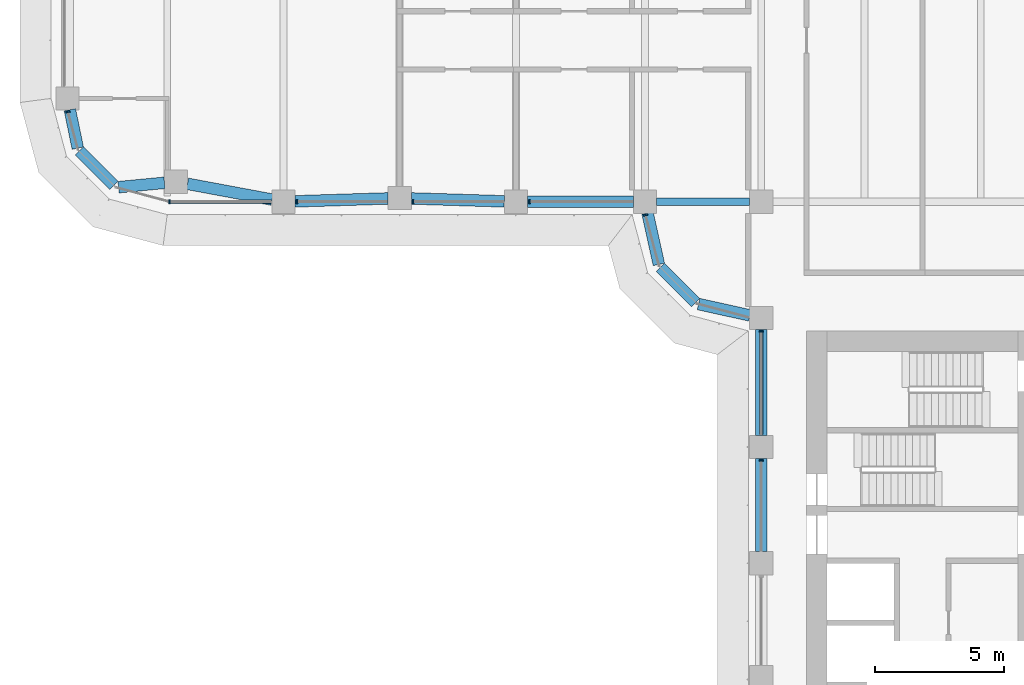
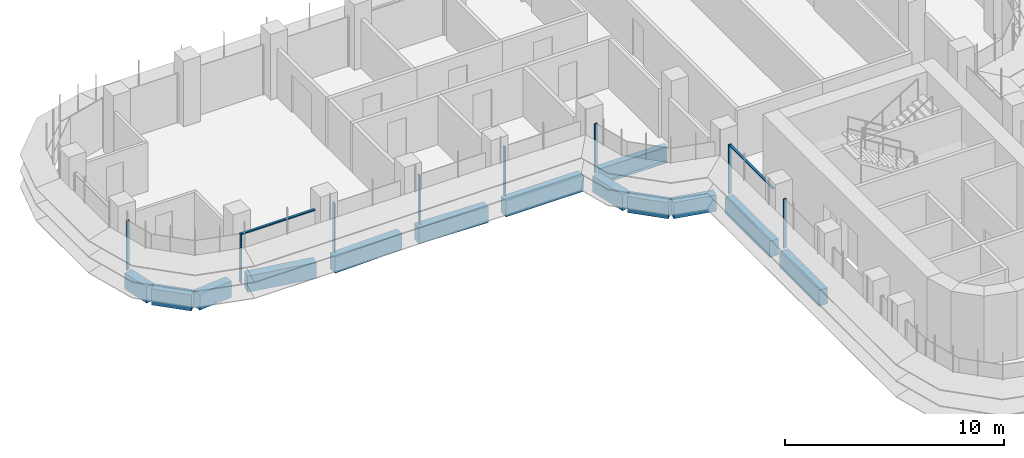
# One storey, part 3 of 23: 13 beams, 10 members, 4 elements without a shape of their own.
"""IFC4 building model written with IfcOpenShell, lengths in metres."""

from ifc_helpers import new_model, si_unit, direction, frame, origin, origin_2d, place, context, subcontext, project, spatial, polyline, rectangle, i_section, outline, extrude, source, transform, mapped, material, material_profile, profile_set, type_object, element, aggregate, save


model = new_model("IFC4")

# Units and contexts
model_context = context("Model", 3, precision=1e-05, world=origin(), true_north=direction((0.0, 1.0)))
body_context = subcontext(model_context, "Body", "Model", "MODEL_VIEW")
ifc_project = project(units=[si_unit("LENGTHUNIT", "METRE"), si_unit("AREAUNIT", "SQUARE_METRE"), si_unit("VOLUMEUNIT", "CUBIC_METRE"), si_unit("PLANEANGLEUNIT", "RADIAN"), si_unit("MASSUNIT", "GRAM", prefix="KILO")], contexts=[model_context])

# Site, building, storey
site_placement = place(None, origin())
site = spatial("IfcSite", under=ifc_project, at=site_placement, CompositionType="ELEMENT")
building_placement = place(site_placement, origin())
building = spatial("IfcBuilding", under=site, at=building_placement, Name="Zarbagh Exchange Tower", CompositionType="ELEMENT")
storey_placement = place(building_placement, frame((0.0, 0.0, 86.60009765625)))
storey = spatial("IfcBuildingStorey", under=building, at=storey_placement, Name="L19", CompositionType="ELEMENT", Elevation=86.60009765625)

# Beams
ifc_material_1 = material(Name="Steel ASTM A992 Gr 50", Category="steel")
ifc_material_profile_1 = material_profile(ifc_material_1, i_section(OverallWidth=0.3046875, OverallDepth=0.911865234375, WebThickness=0.015869140625, FlangeThickness=0.02392578125, at=origin_2d()), Name="W36X150")
ifc_profile_set_1 = profile_set([ifc_material_profile_1], Name="Steel ASTM A992 Gr 50")
beam_type_1 = type_object("IfcBeamType", Name="Floor girder W36X150", PredefinedType="BEAM", material=ifc_profile_set_1)
beam_1_placement = place(storey_placement, frame((-10.300048828125, -6.25, -0.60595703125), z_axis=(1.0, 0.0, 0.0), x_axis=(0.0, 1.0, 0.0)))
element("IfcBeam", 1, at=beam_1_placement, inside=storey, type_object=beam_type_1, Name="Steel girder", PredefinedType="BEAM", context=body_context, shape_type="SweptSolid", body=[
    extrude(i_section(OverallWidth=0.3046875, OverallDepth=0.911865234375, WebThickness=0.015869140625, FlangeThickness=0.02392578125, at=origin_2d()), origin(), (0.0, 0.0, 1.0), 3.60009765625),
])
ifc_material_2 = material(Name="Concrete C60/75", Category="concrete")
ifc_material_profile_2 = material_profile(ifc_material_2, rectangle(XDim=0.449951171875, YDim=0.89990234375, at=origin_2d()), Name="RC spandrel beam 450 x 900 C60/75")
ifc_profile_set_2 = profile_set([ifc_material_profile_2], Name="Concrete C60/75")
beam_type_2 = type_object("IfcBeamType", Name="RC spandrel beam 450 x 900 C60/75", PredefinedType="SPANDREL", material=ifc_profile_set_2)
beam_2_placement = place(storey_placement, frame((-6.25, -19.800048828125, -0.60009765625), z_axis=(0.0, 1.0, 0.0), x_axis=(-1.0, 0.0, 0.0)))
element("IfcBeam", 2, at=beam_2_placement, inside=storey, type_object=beam_type_2, Name="RC spandrel beam", PredefinedType="SPANDREL", context=body_context, shape_type="SweptSolid", body=[
    extrude(rectangle(XDim=0.449951171875, YDim=0.89990234375, at=origin_2d()), origin(), (0.0, 0.0, 1.0), 3.60009765625),
])
beam_3_placement = place(storey_placement, frame((-6.25, -15.300048828125, -0.60009765625), z_axis=(0.0, 1.0, 0.0), x_axis=(-1.0, 0.0, 0.0)))
element("IfcBeam", 3, at=beam_3_placement, inside=storey, type_object=beam_type_2, Name="RC spandrel beam", PredefinedType="SPANDREL", context=body_context, shape_type="SweptSolid", body=[
    extrude(rectangle(XDim=0.449951171875, YDim=0.89990234375, at=origin_2d()), origin(), (0.0, 0.0, 1.0), 4.10009765625),
])
beam_4_placement = place(storey_placement, frame((-6.689453125, -10.65283203125, -0.60009765625), z_axis=(-0.976367325525, 0.216117666208, 0.0), x_axis=(-0.216117666208, -0.976367325525, 0.0)))
element("IfcBeam", 4, at=beam_4_placement, inside=storey, type_object=beam_type_2, Name="RC spandrel beam", PredefinedType="SPANDREL", context=body_context, shape_type="SweptSolid", body=[
    extrude(rectangle(XDim=0.449951171875, YDim=0.89990234375, at=origin_2d()), origin(), (0.0, 0.0, 1.0), 2.03564453125),
])
beam_5_placement = place(storey_placement, frame((-8.78759765625, -10.15234375, -0.60009765625), z_axis=(-0.707106781187, 0.707106781187, 0.0), x_axis=(-0.707106781187, -0.707106781187, 0.0)))
element("IfcBeam", 5, at=beam_5_placement, inside=storey, type_object=beam_type_2, Name="RC spandrel beam", PredefinedType="SPANDREL", context=body_context, shape_type="SweptSolid", body=[
    extrude(rectangle(XDim=0.449951171875, YDim=0.89990234375, at=origin_2d()), origin(), (0.0, 0.0, 1.0), 1.929931640625),
])
beam_6_placement = place(storey_placement, frame((-10.212890625, -8.677001953125, -0.60009765625), z_axis=(-0.216117666208, 0.976367325525, 0.0), x_axis=(-0.976367325525, -0.216117666208, 0.0)))
element("IfcBeam", 6, at=beam_6_placement, inside=storey, type_object=beam_type_2, Name="RC spandrel beam", PredefinedType="SPANDREL", context=body_context, shape_type="SweptSolid", body=[
    extrude(rectangle(XDim=0.449951171875, YDim=0.89990234375, at=origin_2d()), origin(), (0.0, 0.0, 1.0), 2.03564453125),
])
beam_7_placement = place(storey_placement, frame((-11.199951171875, -6.25, -0.60009765625), z_axis=(-1.0, 0.0, 0.0), x_axis=(0.0, -1.0, 0.0)))
element("IfcBeam", 7, at=beam_7_placement, inside=storey, type_object=beam_type_2, Name="RC spandrel beam", PredefinedType="SPANDREL", context=body_context, shape_type="SweptSolid", body=[
    extrude(rectangle(XDim=0.449951171875, YDim=0.89990234375, at=origin_2d()), origin(), (0.0, 0.0, 1.0), 4.10009765625),
])
for number, where, z_axis, x_axis, name in (
    (8, (-16.19970703125, -6.236083984375, -0.60009765625), (-0.999516035224, 0.031107801747, 0.0), (-0.031107801747, -0.999516035224, 0.0), "RC spandrel beam"),
    (9, (-20.69970703125, -6.1240234375, -0.60009765625), (-0.999516035224, -0.031107801747, 0.0), (0.031107801747, -0.999516035224, 0.0), "RC spandrel beam"),
):
    element("IfcBeam", number, at=place(storey_placement, frame(where, z_axis=z_axis, x_axis=x_axis)), inside=storey, type_object=beam_type_2, Name=name, PredefinedType="SPANDREL", context=body_context, shape_type="SweptSolid", body=[
        extrude(rectangle(XDim=0.449951171875, YDim=0.89990234375, at=origin_2d()), origin(), (0.0, 0.0, 1.0), 3.602294921875),
    ])
beam_8_placement = place(storey_placement, frame((-25.1923828125, -6.16748046875, -0.60009765625), z_axis=(-0.98308156541, 0.183168326277, 0.0), x_axis=(-0.183168326277, -0.98308156541, 0.0)))
element("IfcBeam", 10, at=beam_8_placement, inside=storey, type_object=beam_type_2, Name="RC spandrel beam", PredefinedType="SPANDREL", context=body_context, shape_type="SweptSolid", body=[
    extrude(rectangle(XDim=0.449951171875, YDim=0.89990234375, at=origin_2d()), origin(), (0.0, 0.0, 1.0), 3.32958984375),
])
beam_9_placement = place(storey_placement, frame((-29.35595703125, -5.51806640625, -0.60009765625), z_axis=(-0.995433267802, -0.095459988228, 0.0), x_axis=(0.095459988228, -0.995433267802, 0.0)))
element("IfcBeam", 11, at=beam_9_placement, inside=storey, type_object=beam_type_2, Name="RC spandrel beam", PredefinedType="SPANDREL", context=body_context, shape_type="SweptSolid", body=[
    extrude(rectangle(XDim=0.449951171875, YDim=0.89990234375, at=origin_2d()), origin(), (0.0, 0.0, 1.0), 1.78759765625),
])
beam_10_placement = place(storey_placement, frame((-31.316162109375, -5.623779296875, -0.60009765625), z_axis=(-0.707106781187, 0.707106781187, 0.0), x_axis=(-0.707106781187, -0.707106781187, 0.0)))
element("IfcBeam", 12, at=beam_10_placement, inside=storey, type_object=beam_type_2, Name="RC spandrel beam", PredefinedType="SPANDREL", context=body_context, shape_type="SweptSolid", body=[
    extrude(rectangle(XDim=0.449951171875, YDim=0.89990234375, at=origin_2d()), origin(), (0.0, 0.0, 1.0), 1.887939453125),
])
beam_11_placement = place(storey_placement, frame((-32.71240234375, -4.17529296875, -0.60009765625), z_axis=(-0.202275417995, 0.979328675816, 0.0), x_axis=(-0.979328675816, -0.202275417995, 0.0)))
element("IfcBeam", 13, at=beam_11_placement, inside=storey, type_object=beam_type_2, Name="RC spandrel beam", PredefinedType="SPANDREL", context=body_context, shape_type="SweptSolid", body=[
    extrude(rectangle(XDim=0.449951171875, YDim=0.89990234375, at=origin_2d()), origin(), (0.0, 0.0, 1.0), 1.515869140625),
])

# Curtain wall, member
ifc_material_3 = material(Name="Anodised aluminium frame and glazing", Category="aluminium")
curtain_wall_type = type_object("IfcCurtainWallType", Name="CWA Ribbon glazing, lower zones", PredefinedType="NOTDEFINED", material=ifc_material_3)
curtain_wall_1_placement = place(storey_placement, origin())
curtain_wall_1 = element("IfcCurtainWall", 14, at=curtain_wall_1_placement, inside=storey, type_object=curtain_wall_type, Name="CWA37 curtain wall", PredefinedType="NOTDEFINED")
ifc_material_4 = material(Name="Anodised aluminium frame", Category="aluminium")
member_type_1 = type_object("IfcMemberType", Name="MUA Mullion, anodised aluminium frame", PredefinedType="MULLION", material=ifc_material_4)
shared_shape_1 = source(origin(), body_context, "Body", "SweptSolid", [
    extrude(outline(polyline([(0.0, -0.080078125), (0.06005859375, -0.080078125), (0.06005859375, 0.080078125), (0.0, 0.080078125), (0.0, -0.080078125)])), origin(), (0.0, 0.0, 1.0), 2.75),
])
placement = place(storey_placement, origin())
member_1 = element("IfcMember", 15, at=placement, type_object=member_type_1, Name="CWA37 mullion 1.1", PredefinedType="MULLION", context=body_context, shape_type="MappedRepresentation", body=[
    mapped(shared_shape_1, transform((-33.10107421875, -2.739990234375, 0.0), x_axis=(0.258824779902, -0.965924289636, 0.0), y_axis=(0.965924289636, 0.258824779902, 0.0), z_axis=(0.0, 0.0, 1.0))),
])
aggregate(curtain_wall_1, [member_1])

# Curtain wall, members
curtain_wall_2_placement = place(storey_placement, origin())
curtain_wall_2 = element("IfcCurtainWall", 16, at=curtain_wall_2_placement, inside=storey, type_object=curtain_wall_type, Name="CWA40 curtain wall", PredefinedType="NOTDEFINED")
member_2 = element("IfcMember", 17, at=placement, type_object=member_type_1, Name="CWA40 mullion 1.1", PredefinedType="MULLION", context=body_context, shape_type="MappedRepresentation", body=[
    mapped(shared_shape_1, transform((-29.18408203125, -6.25, 0.0), x_axis=(1.0, 0.0, 0.0), y_axis=(0.0, 1.0, 0.0), z_axis=(0.0, 0.0, 1.0))),
])
member_3 = element("IfcMember", 18, at=placement, type_object=member_type_1, Name="CWA40 mullion 2.1", PredefinedType="MULLION", context=body_context, shape_type="MappedRepresentation", body=[
    mapped(shared_shape_1, transform((-24.260009765625, -6.25, 0.0), x_axis=(1.0, 0.0, 0.0), y_axis=(0.0, 1.0, 0.0), z_axis=(0.0, 0.0, 1.0))),
])
member_4 = element("IfcMember", 19, at=placement, type_object=member_type_1, Name="CWA40 mullion 3.1", PredefinedType="MULLION", context=body_context, shape_type="MappedRepresentation", body=[
    mapped(shared_shape_1, transform((-19.760009765625, -6.25, 0.0), x_axis=(1.0, 0.0, 0.0), y_axis=(0.0, 1.0, 0.0), z_axis=(0.0, 0.0, 1.0))),
])
member_5 = element("IfcMember", 20, at=placement, type_object=member_type_1, Name="CWA40 mullion 4.1", PredefinedType="MULLION", context=body_context, shape_type="MappedRepresentation", body=[
    mapped(shared_shape_1, transform((-15.260009765625, -6.25, 0.0), x_axis=(1.0, 0.0, 0.0), y_axis=(0.0, 1.0, 0.0), z_axis=(0.0, 0.0, 1.0))),
])

# Curtain wall, member
curtain_wall_3_placement = place(storey_placement, origin())
curtain_wall_3 = element("IfcCurtainWall", 21, at=curtain_wall_3_placement, inside=storey, type_object=curtain_wall_type, Name="CWA41 curtain wall", PredefinedType="NOTDEFINED")
member_6 = element("IfcMember", 22, at=placement, type_object=member_type_1, Name="CWA41 mullion 1.1", PredefinedType="MULLION", context=body_context, shape_type="MappedRepresentation", body=[
    mapped(shared_shape_1, transform((-10.735107421875, -6.739990234375, 0.0), x_axis=(0.258824779902, -0.965924289636, 0.0), y_axis=(0.965924289636, 0.258824779902, 0.0), z_axis=(0.0, 0.0, 1.0))),
])
aggregate(curtain_wall_3, [member_6])

# Curtain wall, members
curtain_wall_4_placement = place(storey_placement, origin())
curtain_wall_4 = element("IfcCurtainWall", 23, at=curtain_wall_4_placement, inside=storey, type_object=curtain_wall_type, Name="CWA44 curtain wall", PredefinedType="NOTDEFINED")
member_7 = element("IfcMember", 24, at=placement, type_object=member_type_1, Name="CWA44 mullion 1.1", PredefinedType="MULLION", context=body_context, shape_type="MappedRepresentation", body=[
    mapped(shared_shape_1, transform((-6.25, -11.239990234375, 0.0), x_axis=(0.0, -1.0, 0.0), y_axis=(1.0, 0.0, 0.0), z_axis=(0.0, 0.0, 1.0))),
])
member_8 = element("IfcMember", 25, at=placement, type_object=member_type_1, Name="CWA44 mullion 2.1", PredefinedType="MULLION", context=body_context, shape_type="MappedRepresentation", body=[
    mapped(shared_shape_1, transform((-6.25, -16.239990234375, 0.0), x_axis=(0.0, -1.0, 0.0), y_axis=(1.0, 0.0, 0.0), z_axis=(0.0, 0.0, 1.0))),
])
member_type_2 = type_object("IfcMemberType", Name="TRA Transom, anodised aluminium frame", PredefinedType="USERDEFINED", material=ifc_material_4)
shared_shape_2 = source(origin(), body_context, "Body", "SweptSolid", [
    extrude(outline(polyline([(-0.06005859375, -0.06005859375), (0.0, -0.06005859375), (0.0, 0.06005859375), (-0.06005859375, 0.06005859375), (-0.06005859375, -0.06005859375)])), origin(), (0.0, 0.0, 1.0), 3.9599609375),
])
member_9 = element("IfcMember", 26, at=placement, type_object=member_type_2, Name="CWA44 transom 1.1", ObjectType="TRANSOM", PredefinedType="USERDEFINED", context=body_context, shape_type="MappedRepresentation", body=[
    mapped(shared_shape_2, transform((-6.25, -11.300048828125, 2.75), x_axis=(0.0, 0.0, 1.0), y_axis=(-1.0, 0.0, 0.0), z_axis=(0.0, -1.0, 0.0))),
])
aggregate(curtain_wall_4, [member_7, member_9, member_8])

# Member
shared_shape_3 = source(origin(), body_context, "Body", "SweptSolid", [
    extrude(outline(polyline([(-0.06005859375, -0.06005859375), (0.0, -0.06005859375), (0.0, 0.06005859375), (-0.06005859375, 0.06005859375), (-0.06005859375, -0.06005859375)])), origin(), (0.0, 0.0, 1.0), 3.88427734375),
])
member_10 = element("IfcMember", 27, at=placement, type_object=member_type_2, Name="CWA40 transom 1.1", ObjectType="TRANSOM", PredefinedType="USERDEFINED", context=body_context, shape_type="MappedRepresentation", body=[
    mapped(shared_shape_3, transform((-29.124267578125, -6.25, 2.75), x_axis=(0.0, 0.0, 1.0), y_axis=(0.0, -1.0, 0.0), z_axis=(1.0, 0.0, 0.0))),
])

aggregate(curtain_wall_2, [member_2, member_10, member_3, member_4, member_5])

save(model, "model.ifc")
